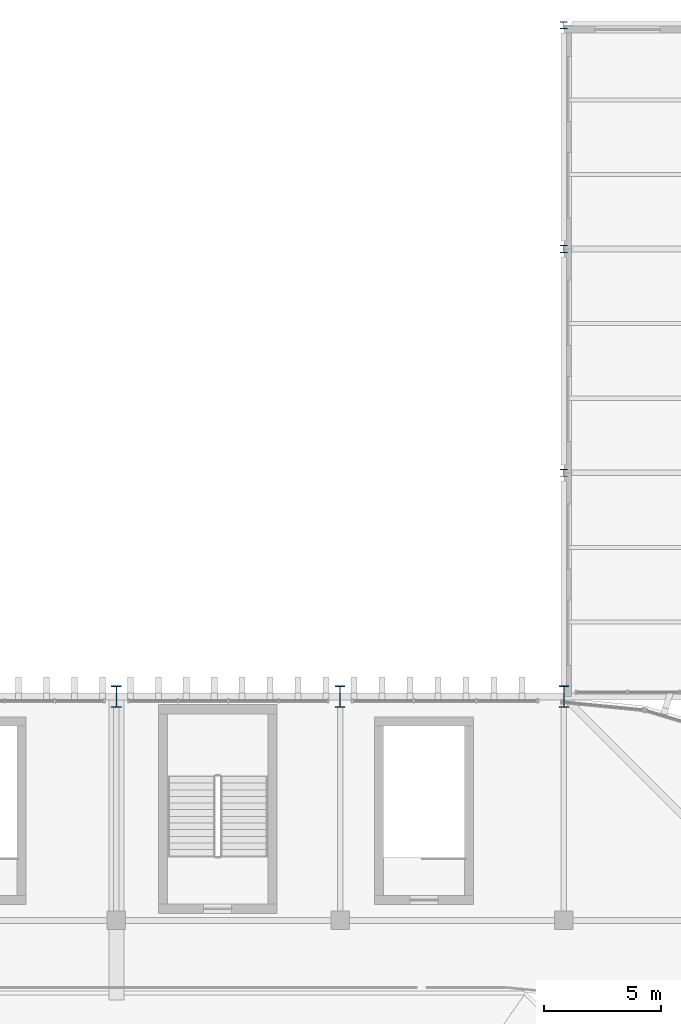
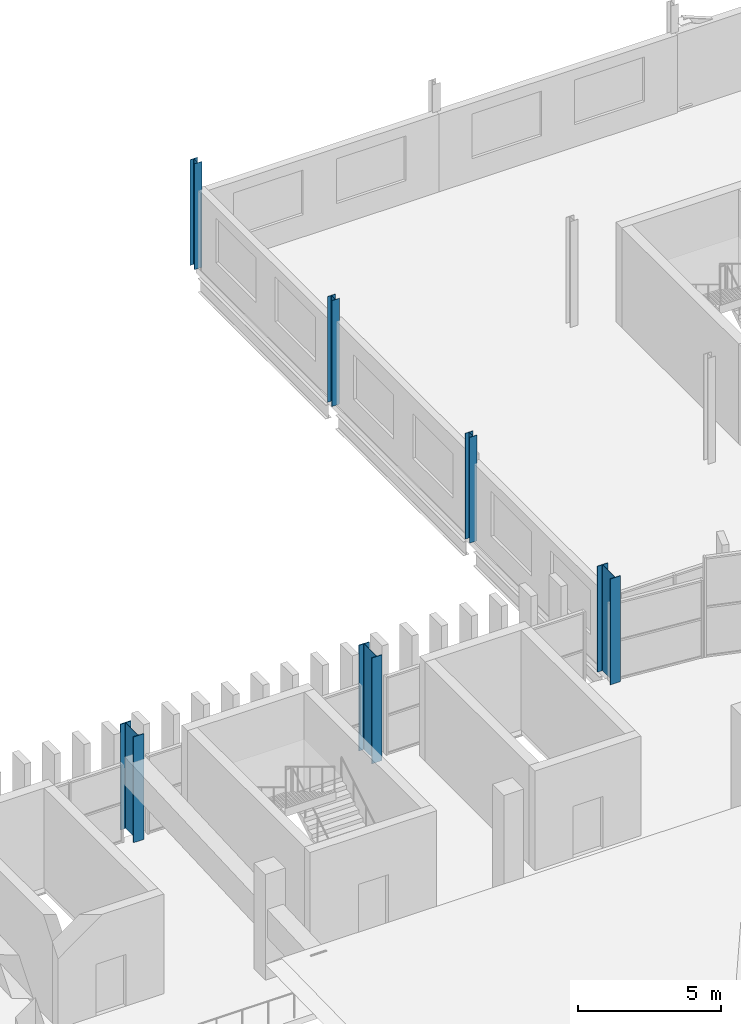
# One storey, part 7 of 69: 6 columns.
"""IFC4 building model written with IfcOpenShell, lengths in metres."""

from ifc_helpers import new_model, si_unit, direction, frame, origin, origin_2d, place, context, subcontext, project, spatial, i_section, extrude, material, material_profile, profile_set, type_object, element, save


model = new_model("IFC4")

# Units and contexts
model_context = context("Model", 3, precision=1e-05, world=origin(), true_north=direction((0.0, 1.0)))
body_context = subcontext(model_context, "Body", "Model", "MODEL_VIEW")
ifc_project = project(units=[si_unit("LENGTHUNIT", "METRE"), si_unit("AREAUNIT", "SQUARE_METRE"), si_unit("VOLUMEUNIT", "CUBIC_METRE"), si_unit("PLANEANGLEUNIT", "RADIAN"), si_unit("MASSUNIT", "GRAM", prefix="KILO")], contexts=[model_context])

# Site, building, storey
site_placement = place(None, origin())
site = spatial("IfcSite", under=ifc_project, at=site_placement, CompositionType="ELEMENT")
building_placement = place(site_placement, origin())
building = spatial("IfcBuilding", under=site, at=building_placement, Name="Caelomonte Colonnade Arena", CompositionType="ELEMENT")
storey_placement = place(building_placement, frame((0.0, 0.0, 18.60009765625)))
storey = spatial("IfcBuildingStorey", under=building, at=storey_placement, Name="L04", CompositionType="ELEMENT", Elevation=18.60009765625)

# Columns
ifc_material = material(Name="Wide-flange steel ASTM A992 Grade 50", Category="steel")
ifc_material_profile_1 = material_profile(ifc_material, i_section(OverallWidth=0.3046875, OverallDepth=0.307861328125, WebThickness=0.010009765625, FlangeThickness=0.015380859375, FilletRadius=0.0126953125, at=origin_2d()), Name="W12X65")
ifc_profile_set_1 = profile_set([ifc_material_profile_1], Name="Wide-flange steel ASTM A992 Grade 50")
column_type_1 = type_object("IfcColumnType", Name="STR-COL-W12A", PredefinedType="COLUMN", material=ifc_profile_set_1)
for number, where, z_axis, x_axis, name in (
    (1, (144.0, 124.800048828125, 0.0), (0.0, 0.0, 1.0), (1.0, 0.0, 0.0), "L04 column (144.0, 124.8)"),
    (2, (144.0, 134.39990234375, 0.0), (0.0, 0.0, 1.0), (1.0, 0.0, 0.0), "L04 column (144.0, 134.4)"),
    (3, (144.0, 144.0, 0.0), (0.0, 0.0, 1.0), (1.0, 0.0, 0.0), "L04 column (144.0, 144.0)"),
):
    element("IfcColumn", number, at=place(storey_placement, frame(where, z_axis=z_axis, x_axis=x_axis)), inside=storey, type_object=column_type_1, Name=name, PredefinedType="COLUMN", context=body_context, shape_type="SweptSolid", body=[
        extrude(i_section(OverallWidth=0.3046875, OverallDepth=0.307861328125, WebThickness=0.010009765625, FlangeThickness=0.015380859375, FilletRadius=0.0126953125, at=origin_2d()), origin(), (0.0, 0.0, 1.0), 4.5),
    ])
ifc_material_profile_2 = material_profile(ifc_material, i_section(OverallWidth=0.418212890625, OverallDepth=0.927001953125, WebThickness=0.019287109375, FlangeThickness=0.031982421875, FilletRadius=0.024169921875, at=origin_2d()), Name="W36X231")
ifc_profile_set_2 = profile_set([ifc_material_profile_2], Name="Wide-flange steel ASTM A992 Grade 50")
column_type_2 = type_object("IfcColumnType", Name="STR-COL-W36B", PredefinedType="COLUMN", material=ifc_profile_set_2)
for number, where, z_axis, x_axis, name in (
    (4, (124.800048828125, 115.199951171875, 0.0), (0.0, 0.0, 1.0), (1.0, 0.0, 0.0), "L04 column (124.8, 115.2)"),
    (5, (134.39990234375, 115.199951171875, 0.0), (0.0, 0.0, 1.0), (1.0, 0.0, 0.0), "L04 column (134.4, 115.2)"),
    (6, (144.0, 115.199951171875, 0.0), (0.0, 0.0, 1.0), (1.0, 0.0, 0.0), "L04 column (144.0, 115.2)"),
):
    element("IfcColumn", number, at=place(storey_placement, frame(where, z_axis=z_axis, x_axis=x_axis)), inside=storey, type_object=column_type_2, Name=name, PredefinedType="COLUMN", context=body_context, shape_type="SweptSolid", body=[
        extrude(i_section(OverallWidth=0.418212890625, OverallDepth=0.927001953125, WebThickness=0.019287109375, FlangeThickness=0.031982421875, FilletRadius=0.024169921875, at=origin_2d()), origin(), (0.0, 0.0, 1.0), 4.5),
    ])

save(model, "model.ifc")
